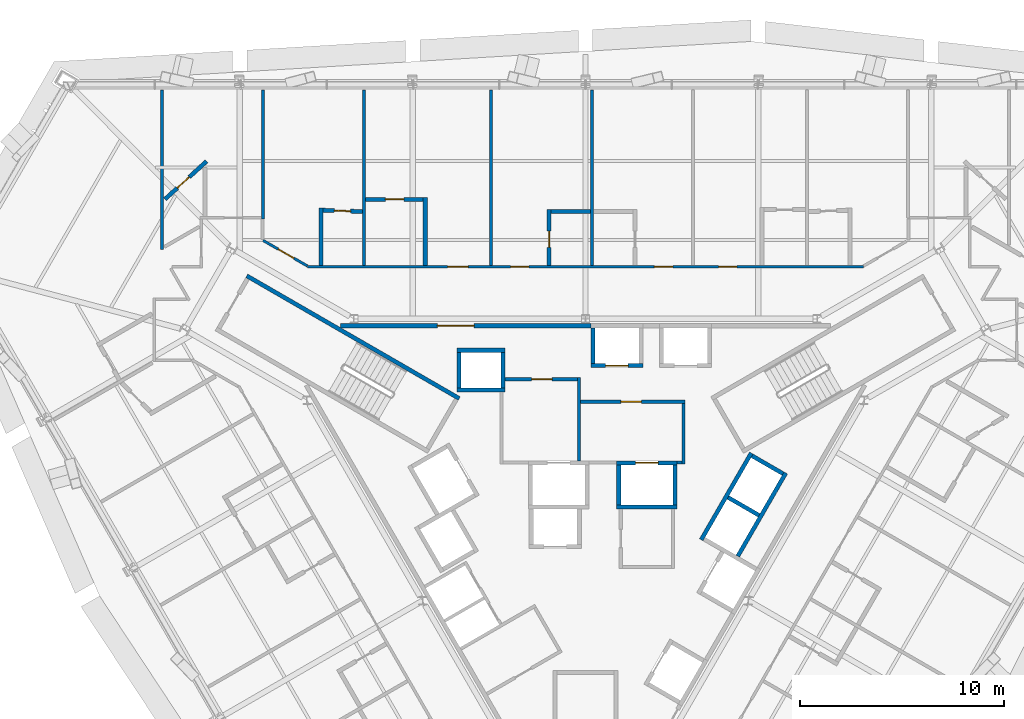
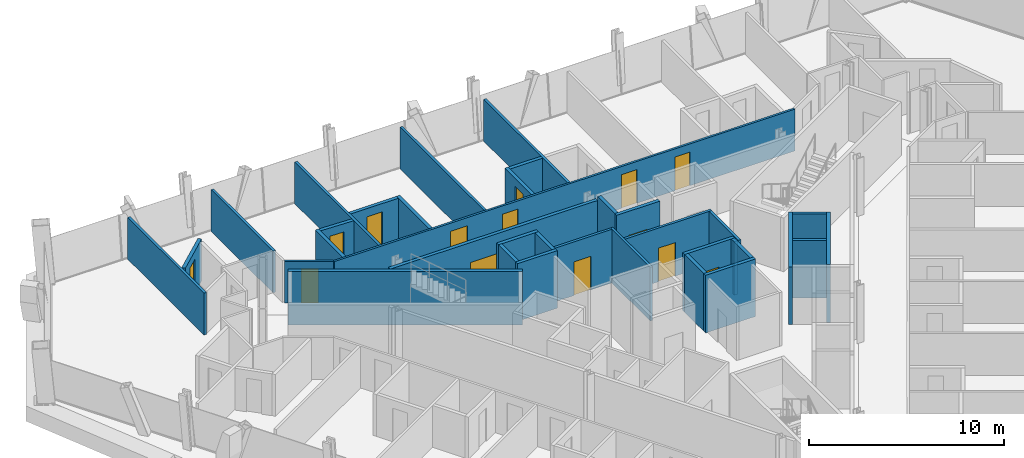
# One storey, part 11 of 15: 35 walls, 14 doors, 14 openings.
"""IFC4 building model written with IfcOpenShell, lengths in metres."""

from ifc_helpers import new_model, si_unit, direction, frame, frame_2d, origin, place, context, subcontext, project, spatial, rectangle, extrude, material, layer, layer_set, type_object, element, fill, save


model = new_model("IFC4")

# Units and contexts
model_context = context("Model", 3, precision=1e-05, world=origin(), true_north=direction((0.0, 1.0)))
body_context = subcontext(model_context, "Body", "Model", "MODEL_VIEW")
ifc_project = project(units=[si_unit("LENGTHUNIT", "METRE"), si_unit("AREAUNIT", "SQUARE_METRE"), si_unit("VOLUMEUNIT", "CUBIC_METRE"), si_unit("PLANEANGLEUNIT", "RADIAN"), si_unit("MASSUNIT", "GRAM", prefix="KILO")], contexts=[model_context])

# Site, building, storey
site_placement = place(None, origin())
site = spatial("IfcSite", under=ifc_project, at=site_placement, CompositionType="ELEMENT")
building_placement = place(site_placement, origin())
building = spatial("IfcBuilding", under=site, at=building_placement, Name="Verrane Prism Tower", CompositionType="ELEMENT")
storey_placement = place(building_placement, frame((0.0, 0.0, 44.0)))
storey = spatial("IfcBuildingStorey", under=building, at=storey_placement, Name="L08", CompositionType="ELEMENT", Elevation=44.0)

# Wall, opening, door
ifc_material_1 = material(Name="Gypsum board partition", Category="other")
ifc_layer_1 = layer(ifc_material_1, 0.199951171875)
ifc_layer_set_1 = layer_set([ifc_layer_1], Name="CW-200 core boundary wall 2 h")
wall_type_1 = type_object("IfcWallType", Name="CW-200 core boundary wall 2 h", PredefinedType="PARTITIONING", material=ifc_layer_set_1)
wall_1_placement = place(storey_placement, frame((0.262939453125, 8.860107421875, 0.0), z_axis=(0.0, 0.0, 1.0), x_axis=(-1.0, 0.0, 0.0)))
wall_1 = element("IfcWall", 1, at=wall_1_placement, inside=storey, type_object=wall_type_1, Name="Core boundary wall CW3-009", PredefinedType="PARTITIONING", context=body_context, shape_type="SweptSolid", body=[
    extrude(rectangle(XDim=12.25390625, YDim=0.199951171875, at=frame_2d((6.126953125, 0.0))), origin(), (0.0, 0.0, 1.0), 3.35009765625),
])
opening_1_placement = place(wall_1_placement, frame((5.708984375, 0.0, 0.0)))
opening_1 = element("IfcOpeningElement", 2, at=opening_1_placement, cuts=wall_1, Name="Opening D06524", PredefinedType="OPENING", context=body_context, shape_type="SweptSolid", body=[
    extrude(rectangle(XDim=1.800048828125, YDim=2.10009765625, at=frame_2d((0.89990234375, 1.050048828125))), frame((0.0, 0.10986328125, 0.0), z_axis=(0.0, -1.0, 0.0), x_axis=(1.0, 0.0, 0.0)), (0.0, 0.0, 1.0), 0.219970703125),
])
ifc_material_2 = material(Name="Timber veneered door leaf", Category="wood")
door_type_1 = type_object("IfcDoorType", Name="DR-1800x2100 FD60 double leaf lift lobby", OperationType="NOTDEFINED", PredefinedType="DOOR", material=ifc_material_2)
door_1_placement = place(opening_1_placement, origin())
door_1 = element("IfcDoor", 3, at=door_1_placement, inside=storey, type_object=door_type_1, Name="Lift lobby door D06524", OperationType="DOUBLE_DOOR_SINGLE_SWING", OverallHeight=2.10009765625, OverallWidth=1.800048828125, PredefinedType="DOOR", context=body_context, shape_type="SweptSolid", body=[
    extrude(rectangle(XDim=1.800048828125, YDim=2.10009765625, at=frame_2d((0.89990234375, 1.050048828125))), frame((0.0, 0.02490234375, 0.0), z_axis=(0.0, -1.0, 0.0), x_axis=(1.0, 0.0, 0.0)), (0.0, 0.0, 1.0), 0.050048828125),
])
fill(opening_1, door_1)

# Walls
ifc_material_3 = material(Name="Concrete C40/50", Category="concrete")
ifc_layer_2 = layer(ifc_material_3, 0.199951171875)
ifc_layer_set_2 = layer_set([ifc_layer_2], Name="CW-200 stair core wall concrete C40/50 3 h")
wall_type_2 = type_object("IfcWallType", Name="CW-200 stair core wall concrete C40/50 3 h", PredefinedType="PARTITIONING", material=ifc_layer_set_2)
wall_2_placement = place(storey_placement, frame((-6.17822265625, 5.299072265625, 0.0), z_axis=(0.0, 0.0, 1.0), x_axis=(-0.866026010844, 0.49999894854, 0.0)))
element("IfcWall", 4, at=wall_2_placement, inside=storey, type_object=wall_type_2, Name="Stair 2 enclosure wall", PredefinedType="PARTITIONING", context=body_context, shape_type="SweptSolid", body=[
    extrude(rectangle(XDim=12.0, YDim=0.199951171875, at=frame_2d((6.0, 0.0))), origin(), (0.0, 0.0, 1.0), 3.35009765625),
])
ifc_material_4 = material(Name="Gypsum board shaft wall assembly", Category="other")
ifc_layer_3 = layer(ifc_material_4, 0.199951171875)
ifc_layer_set_3 = layer_set([ifc_layer_3], Name="HW-200 lift shaft wall 2 h")
wall_type_3 = type_object("IfcWallType", Name="HW-200 lift shaft wall 2 h", PredefinedType="PARTITIONING", material=ifc_layer_set_3)
wall_3_placement = place(storey_placement, frame((1.52490234375, 0.0, 0.0), z_axis=(0.0, 0.0, 1.0), x_axis=(1.0, 0.0, 0.0)))
element("IfcWall", 5, at=wall_3_placement, inside=storey, type_object=wall_type_3, Name="Lift shaft wall", PredefinedType="PARTITIONING", context=body_context, shape_type="SweptSolid", body=[
    extrude(rectangle(XDim=2.9501953125, YDim=0.199951171875, at=frame_2d((1.47509765625, 0.0))), origin(), (0.0, 0.0, 1.0), 3.60009765625),
])

# Wall, opening, door
wall_4_placement = place(storey_placement, frame((1.52490234375, 2.14990234375, 0.0), z_axis=(0.0, 0.0, 1.0), x_axis=(1.0, 0.0, 0.0)))
wall_4 = element("IfcWall", 6, at=wall_4_placement, inside=storey, type_object=wall_type_3, Name="Lift shaft wall", PredefinedType="PARTITIONING", context=body_context, shape_type="SweptSolid", body=[
    extrude(rectangle(XDim=2.9501953125, YDim=0.199951171875, at=frame_2d((1.47509765625, 0.0))), origin(), (0.0, 0.0, 1.0), 3.60009765625),
])
opening_2_placement = place(wall_4_placement, frame((0.925048828125, 0.0, 0.0)))
opening_2 = element("IfcOpeningElement", 7, at=opening_2_placement, cuts=wall_4, Name="Opening D06513", PredefinedType="OPENING", context=body_context, shape_type="SweptSolid", body=[
    extrude(rectangle(XDim=1.10009765625, YDim=2.10009765625, at=frame_2d((0.550048828125, 1.050048828125))), frame((0.0, 0.10986328125, 0.0), z_axis=(0.0, -1.0, 0.0), x_axis=(1.0, 0.0, 0.0)), (0.0, 0.0, 1.0), 0.219970703125),
])
ifc_material_5 = material(Name="Stainless steel sliding landing door", Category="steel")
door_type_2 = type_object("IfcDoorType", Name="LD-1100x2100 lift landing door FD90 sliding", OperationType="NOTDEFINED", PredefinedType="DOOR", material=ifc_material_5)
door_2_placement = place(opening_2_placement, origin())
door_2 = element("IfcDoor", 8, at=door_2_placement, inside=storey, type_object=door_type_2, Name="Fire service lift 2 landing door", OperationType="SLIDING_TO_RIGHT", OverallHeight=2.10009765625, OverallWidth=1.10009765625, PredefinedType="DOOR", context=body_context, shape_type="SweptSolid", body=[
    extrude(rectangle(XDim=1.10009765625, YDim=2.10009765625, at=frame_2d((0.550048828125, 1.050048828125))), frame((0.0, 0.02490234375, 0.0), z_axis=(0.0, -1.0, 0.0), x_axis=(1.0, 0.0, 0.0)), (0.0, 0.0, 1.0), 0.050048828125),
])
fill(opening_2, door_2)

# Wall
wall_5_placement = place(storey_placement, frame((-6.284912109375, 5.7099609375, 0.0), z_axis=(0.0, 0.0, 1.0), x_axis=(1.0, 0.0, 0.0)))
element("IfcWall", 9, at=wall_5_placement, inside=storey, type_object=wall_type_3, Name="Lift shaft wall", PredefinedType="PARTITIONING", context=body_context, shape_type="SweptSolid", body=[
    extrude(rectangle(XDim=2.349853515625, YDim=0.199951171875, at=frame_2d((1.1748046875, 0.0))), origin(), (0.0, 0.0, 1.0), 3.60009765625),
])

# Wall, opening, door
wall_6_placement = place(storey_placement, frame((0.264892578125, 6.909912109375, 0.0), z_axis=(0.0, 0.0, 1.0), x_axis=(1.0, 0.0, 0.0)))
wall_6 = element("IfcWall", 10, at=wall_6_placement, inside=storey, type_object=wall_type_3, Name="Lift shaft wall", PredefinedType="PARTITIONING", context=body_context, shape_type="SweptSolid", body=[
    extrude(rectangle(XDim=2.550048828125, YDim=0.199951171875, at=frame_2d((1.27490234375, 0.0))), origin(), (0.0, 0.0, 1.0), 3.60009765625),
])
opening_3_placement = place(wall_6_placement, frame((0.72509765625, 0.0, 0.0)))
opening_3 = element("IfcOpeningElement", 11, at=opening_3_placement, cuts=wall_6, Name="Opening D06507", PredefinedType="OPENING", context=body_context, shape_type="SweptSolid", body=[
    extrude(rectangle(XDim=1.10009765625, YDim=2.10009765625, at=frame_2d((0.550048828125, 1.050048828125))), frame((0.0, 0.10986328125, 0.0), z_axis=(0.0, -1.0, 0.0), x_axis=(1.0, 0.0, 0.0)), (0.0, 0.0, 1.0), 0.219970703125),
])
door_3_placement = place(opening_3_placement, origin())
door_3 = element("IfcDoor", 12, at=door_3_placement, inside=storey, type_object=door_type_2, Name="Bank A lift 1 landing door", OperationType="SLIDING_TO_LEFT", OverallHeight=2.10009765625, OverallWidth=1.10009765625, PredefinedType="DOOR", context=body_context, shape_type="SweptSolid", body=[
    extrude(rectangle(XDim=1.10009765625, YDim=2.10009765625, at=frame_2d((0.550048828125, 1.050048828125))), frame((0.0, 0.02490234375, 0.0), z_axis=(0.0, -1.0, 0.0), x_axis=(1.0, 0.0, 0.0)), (0.0, 0.0, 1.0), 0.050048828125),
])
fill(opening_3, door_3)

# Walls
wall_7_placement = place(storey_placement, frame((-6.284912109375, 7.659912109375, 0.0), z_axis=(0.0, 0.0, 1.0), x_axis=(1.0, 0.0, 0.0)))
element("IfcWall", 13, at=wall_7_placement, inside=storey, type_object=wall_type_3, Name="Lift shaft wall", PredefinedType="PARTITIONING", context=body_context, shape_type="SweptSolid", body=[
    extrude(rectangle(XDim=2.349853515625, YDim=0.199951171875, at=frame_2d((1.1748046875, 0.0))), origin(), (0.0, 0.0, 1.0), 3.60009765625),
])
wall_8_placement = place(storey_placement, frame((7.451171875, -2.4140625, 0.0), z_axis=(0.0, 0.0, 1.0), x_axis=(0.500016218704, 0.866016039709, 0.0)))
element("IfcWall", 14, at=wall_8_placement, inside=storey, type_object=wall_type_3, Name="Lift shaft wall", PredefinedType="PARTITIONING", context=body_context, shape_type="SweptSolid", body=[
    extrude(rectangle(XDim=4.699951171875, YDim=0.199951171875, at=frame_2d((2.35009765625, 0.0))), origin(), (0.0, 0.0, 1.0), 3.60009765625),
])
wall_9_placement = place(storey_placement, frame((5.66259765625, -1.6123046875, 0.0), z_axis=(0.0, 0.0, 1.0), x_axis=(0.49998122708, 0.866036242063, 0.0)))
element("IfcWall", 15, at=wall_9_placement, inside=storey, type_object=wall_type_3, Name="Lift shaft wall", PredefinedType="PARTITIONING", context=body_context, shape_type="SweptSolid", body=[
    extrude(rectangle(XDim=4.900146484375, YDim=0.199951171875, at=frame_2d((2.4501953125, 0.0))), origin(), (0.0, 0.0, 1.0), 3.60009765625),
])
for number, where, z_axis, x_axis, name in (
    (16, (4.375, 0.10009765625, 0.0), (0.0, 0.0, 1.0), (0.0, 1.0, 0.0), "Lift shaft wall"),
    (17, (1.625, 0.10009765625, 0.0), (0.0, 0.0, 1.0), (0.0, 1.0, 0.0), "Lift shaft wall"),
):
    element("IfcWall", number, at=place(storey_placement, frame(where, z_axis=z_axis, x_axis=x_axis)), inside=storey, type_object=wall_type_3, Name=name, PredefinedType="PARTITIONING", context=body_context, shape_type="SweptSolid", body=[
        extrude(rectangle(XDim=1.949951171875, YDim=0.199951171875, at=frame_2d((0.97509765625, 0.0))), origin(), (0.0, 0.0, 1.0), 3.60009765625),
    ])
for number, where, z_axis, x_axis, name in (
    (18, (0.364990234375, 7.010009765625, 0.0), (0.0, 0.0, 1.0), (0.0, 1.0, 0.0), "Lift shaft wall"),
    (19, (-4.034912109375, 5.81005859375, 0.0), (0.0, 0.0, 1.0), (0.0, 1.0, 0.0), "Lift shaft wall"),
    (20, (-6.18505859375, 5.81005859375, 0.0), (0.0, 0.0, 1.0), (0.0, 1.0, 0.0), "Lift shaft wall"),
):
    element("IfcWall", number, at=place(storey_placement, frame(where, z_axis=z_axis, x_axis=x_axis)), inside=storey, type_object=wall_type_3, Name=name, PredefinedType="PARTITIONING", context=body_context, shape_type="SweptSolid", body=[
        extrude(rectangle(XDim=1.75, YDim=0.199951171875, at=frame_2d((0.875, 0.0))), origin(), (0.0, 0.0, 1.0), 3.60009765625),
    ])
wall_10_placement = place(storey_placement, frame((9.66455078125, 1.61962890625, 0.0), z_axis=(0.0, 0.0, 1.0), x_axis=(-0.866002029911, 0.500040482552, 0.0)))
element("IfcWall", 21, at=wall_10_placement, inside=storey, type_object=wall_type_3, Name="Lift shaft wall", PredefinedType="PARTITIONING", context=body_context, shape_type="SweptSolid", body=[
    extrude(rectangle(XDim=1.749755859375, YDim=0.199951171875, at=frame_2d((0.875, 0.0))), origin(), (0.0, 0.0, 1.0), 3.60009765625),
])
wall_11_placement = place(storey_placement, frame((8.48974609375, -0.41552734375, 0.0), z_axis=(0.0, 0.0, 1.0), x_axis=(-0.866036909293, 0.499980071345, 0.0)))
element("IfcWall", 22, at=wall_11_placement, inside=storey, type_object=wall_type_3, Name="Lift shaft wall", PredefinedType="PARTITIONING", context=body_context, shape_type="SweptSolid", body=[
    extrude(rectangle(XDim=1.75, YDim=0.199951171875, at=frame_2d((0.875, 0.0))), origin(), (0.0, 0.0, 1.0), 3.60009765625),
])

# Wall, opening, door
ifc_material_6 = material(Name="Gypsum board partition", Category="other")
ifc_layer_4 = layer(ifc_material_6, 0.14990234375)
ifc_layer_set_4 = layer_set([ifc_layer_4], Name="LF-150 firefighting lobby wall 1 h")
wall_type_4 = type_object("IfcWallType", Name="LF-150 firefighting lobby wall 1 h", PredefinedType="PARTITIONING", material=ifc_layer_set_4)
wall_12_placement = place(storey_placement, frame((-3.93310546875, 6.239990234375, 0.0), z_axis=(0.0, 0.0, 1.0), x_axis=(1.0, 0.0, 0.0)))
wall_12 = element("IfcWall", 23, at=wall_12_placement, inside=storey, type_object=wall_type_4, Name="Firefighting lobby wall LF1-011", PredefinedType="PARTITIONING", context=body_context, shape_type="SweptSolid", body=[
    extrude(rectangle(XDim=3.5380859375, YDim=0.14990234375, at=frame_2d((1.76904296875, 0.0))), origin(), (0.0, 0.0, 1.0), 3.35009765625),
])
opening_4_placement = place(wall_12_placement, frame((1.300048828125, 0.0, 0.0)))
opening_4 = element("IfcOpeningElement", 24, at=opening_4_placement, cuts=wall_12, Name="Opening D06528", PredefinedType="OPENING", context=body_context, shape_type="SweptSolid", body=[
    extrude(rectangle(XDim=1.0, YDim=2.10009765625, at=frame_2d((0.5, 1.050048828125))), frame((0.0, 0.0849609375, 0.0), z_axis=(0.0, -1.0, 0.0), x_axis=(1.0, 0.0, 0.0)), (0.0, 0.0, 1.0), 0.169921875),
])
ifc_material_7 = material(Name="Timber veneered door leaf", Category="wood")
door_type_3 = type_object("IfcDoorType", Name="DR-1000x2100 FD60 single leaf firefighting lobby", OperationType="NOTDEFINED", PredefinedType="DOOR", material=ifc_material_7)
door_4_placement = place(opening_4_placement, origin())
door_4 = element("IfcDoor", 25, at=door_4_placement, inside=storey, type_object=door_type_3, Name="Firefighting lobby door D06528", OperationType="SINGLE_SWING_LEFT", OverallHeight=2.10009765625, OverallWidth=1.0, PredefinedType="DOOR", context=body_context, shape_type="SweptSolid", body=[
    extrude(rectangle(XDim=1.0, YDim=2.10009765625, at=frame_2d((0.5, 1.050048828125))), frame((0.0, 0.02490234375, 0.0), z_axis=(0.0, -1.0, 0.0), x_axis=(1.0, 0.0, 0.0)), (0.0, 0.0, 1.0), 0.050048828125),
])
fill(opening_4, door_4)

# Wall
wall_13_placement = place(storey_placement, frame((-0.320068359375, 2.251953125, 0.0), z_axis=(0.0, 0.0, 1.0), x_axis=(0.0, 1.0, 0.0)))
element("IfcWall", 26, at=wall_13_placement, inside=storey, type_object=wall_type_4, Name="Firefighting lobby wall LF1-012", PredefinedType="PARTITIONING", context=body_context, shape_type="SweptSolid", body=[
    extrude(rectangle(XDim=4.06298828125, YDim=0.14990234375, at=frame_2d((2.031494140625, 0.0))), origin(), (0.0, 0.0, 1.0), 3.35009765625),
])

# Wall, opening, door
wall_14_placement = place(storey_placement, frame((-0.2451171875, 5.139892578125, 0.0), z_axis=(0.0, 0.0, 1.0), x_axis=(1.0, 0.0, 0.0)))
wall_14 = element("IfcWall", 27, at=wall_14_placement, inside=storey, type_object=wall_type_4, Name="Firefighting lobby wall LF1-013", PredefinedType="PARTITIONING", context=body_context, shape_type="SweptSolid", body=[
    extrude(rectangle(XDim=5.110107421875, YDim=0.14990234375, at=frame_2d((2.55517578125, 0.0))), origin(), (0.0, 0.0, 1.0), 3.35009765625),
])
opening_5_placement = place(wall_14_placement, frame((1.97509765625, 0.0, 0.0)))
opening_5 = element("IfcOpeningElement", 28, at=opening_5_placement, cuts=wall_14, Name="Opening D06529", PredefinedType="OPENING", context=body_context, shape_type="SweptSolid", body=[
    extrude(rectangle(XDim=1.0, YDim=2.10009765625, at=frame_2d((0.5, 1.050048828125))), frame((0.0, 0.0849609375, 0.0), z_axis=(0.0, -1.0, 0.0), x_axis=(1.0, 0.0, 0.0)), (0.0, 0.0, 1.0), 0.169921875),
])
door_5_placement = place(opening_5_placement, origin())
door_5 = element("IfcDoor", 29, at=door_5_placement, inside=storey, type_object=door_type_3, Name="Firefighting lobby door D06529", OperationType="SINGLE_SWING_RIGHT", OverallHeight=2.10009765625, OverallWidth=1.0, PredefinedType="DOOR", context=body_context, shape_type="SweptSolid", body=[
    extrude(rectangle(XDim=1.0, YDim=2.10009765625, at=frame_2d((0.5, 1.050048828125))), frame((0.0, 0.02490234375, 0.0), z_axis=(0.0, -1.0, 0.0), x_axis=(1.0, 0.0, 0.0)), (0.0, 0.0, 1.0), 0.050048828125),
])
fill(opening_5, door_5)

# Walls
wall_15_placement = place(storey_placement, frame((4.47705078125, 2.159912109375, 0.0), z_axis=(0.0, 0.0, 1.0), x_axis=(1.0, 0.0, 0.0)))
element("IfcWall", 30, at=wall_15_placement, inside=storey, type_object=wall_type_4, Name="Firefighting lobby wall LF1-015", PredefinedType="PARTITIONING", context=body_context, shape_type="SweptSolid", body=[
    extrude(rectangle(XDim=0.238037109375, YDim=0.14990234375, at=frame_2d((0.119140625, 0.0))), origin(), (0.0, 0.0, 1.0), 3.35009765625),
])
wall_16_placement = place(storey_placement, frame((4.7900390625, 2.0849609375, 0.0), z_axis=(0.0, 0.0, 1.0), x_axis=(0.0, 1.0, 0.0)))
element("IfcWall", 31, at=wall_16_placement, inside=storey, type_object=wall_type_4, Name="Firefighting lobby wall LF1-016", PredefinedType="PARTITIONING", context=body_context, shape_type="SweptSolid", body=[
    extrude(rectangle(XDim=2.97998046875, YDim=0.14990234375, at=frame_2d((1.489990234375, 0.0))), origin(), (0.0, 0.0, 1.0), 3.35009765625),
])

# Wall, opening, door
ifc_material_8 = material(Name="Gypsum board partition", Category="other")
ifc_layer_5 = layer(ifc_material_8, 0.125)
ifc_layer_set_5 = layer_set([ifc_layer_5], Name="PW-125 corridor wall 1 h")
wall_type_5 = type_object("IfcWallType", Name="PW-125 corridor wall 1 h", PredefinedType="PARTITIONING", material=ifc_layer_set_5)
wall_17_placement = place(storey_placement, frame((-15.778076171875, 13.034912109375, 0.0), z_axis=(0.0, 0.0, 1.0), x_axis=(0.866110899347, -0.499851888094, 0.0)))
wall_17 = element("IfcWall", 32, at=wall_17_placement, inside=storey, type_object=wall_type_5, Name="Corridor wall 027", PredefinedType="PARTITIONING", context=body_context, shape_type="SweptSolid", body=[
    extrude(rectangle(XDim=2.503662109375, YDim=0.125, at=frame_2d((1.251953125, 0.0))), origin(), (0.0, 0.0, 1.0), 2.613037109375),
])
opening_6_placement = place(wall_17_placement, frame((0.85009765625, 0.0, 0.0)))
opening_6 = element("IfcOpeningElement", 33, at=opening_6_placement, cuts=wall_17, Name="Opening D06013", PredefinedType="OPENING", context=body_context, shape_type="SweptSolid", body=[
    extrude(rectangle(XDim=0.89990234375, YDim=2.10009765625, at=frame_2d((0.449951171875, 1.050048828125))), frame((0.0, 0.072509765625, 0.0), z_axis=(0.0, -1.0, 0.0), x_axis=(1.0, 0.0, 0.0)), (0.0, 0.0, 1.0), 0.14501953125),
])
ifc_material_9 = material(Name="Timber veneered door leaf", Category="wood")
door_type_4 = type_object("IfcDoorType", Name="DR-900x2100 FD20 single leaf unit", OperationType="NOTDEFINED", PredefinedType="DOOR", material=ifc_material_9)
door_6_placement = place(opening_6_placement, origin())
door_6 = element("IfcDoor", 34, at=door_6_placement, inside=storey, type_object=door_type_4, Name="Guest Room door", OperationType="SINGLE_SWING_LEFT", OverallHeight=2.10009765625, OverallWidth=0.89990234375, PredefinedType="DOOR", context=body_context, shape_type="SweptSolid", body=[
    extrude(rectangle(XDim=0.89990234375, YDim=2.10009765625, at=frame_2d((0.449951171875, 1.050048828125))), frame((0.0, 0.02490234375, 0.0), z_axis=(0.0, -1.0, 0.0), x_axis=(1.0, 0.0, 0.0)), (0.0, 0.0, 1.0), 0.050048828125),
])
fill(opening_6, door_6)

# Wall, openings, doors
wall_18_placement = place(storey_placement, frame((-13.598388671875, 11.740966796875, 0.0), z_axis=(0.0, 0.0, 1.0), x_axis=(1.0, 0.0, 0.0)))
wall_18 = element("IfcWall", 35, at=wall_18_placement, inside=storey, type_object=wall_type_5, Name="Corridor wall 030", PredefinedType="PARTITIONING", context=body_context, shape_type="SweptSolid", body=[
    extrude(rectangle(XDim=27.19677734375, YDim=0.125, at=frame_2d((13.598388671875, 0.0))), origin(), (0.0, 0.0, 1.0), 2.613037109375),
])
opening_7_placement = place(wall_18_placement, frame((20.107421875, 0.0, 0.0)))
opening_7 = element("IfcOpeningElement", 36, at=opening_7_placement, cuts=wall_18, Name="Opening D06005", PredefinedType="OPENING", context=body_context, shape_type="SweptSolid", body=[
    extrude(rectangle(XDim=0.89990234375, YDim=2.10009765625, at=frame_2d((0.449951171875, 1.050048828125))), frame((0.0, 0.072509765625, 0.0), z_axis=(0.0, -1.0, 0.0), x_axis=(1.0, 0.0, 0.0)), (0.0, 0.0, 1.0), 0.14501953125),
])
opening_8_placement = place(wall_18_placement, frame((16.970458984375, 0.0, 0.0)))
opening_8 = element("IfcOpeningElement", 37, at=opening_8_placement, cuts=wall_18, Name="Opening D06007", PredefinedType="OPENING", context=body_context, shape_type="SweptSolid", body=[
    extrude(rectangle(XDim=0.89990234375, YDim=2.10009765625, at=frame_2d((0.449951171875, 1.050048828125))), frame((0.0, 0.072509765625, 0.0), z_axis=(0.0, -1.0, 0.0), x_axis=(1.0, 0.0, 0.0)), (0.0, 0.0, 1.0), 0.14501953125),
])
opening_9_placement = place(wall_18_placement, frame((9.93359375, 0.0, 0.0)))
opening_9 = element("IfcOpeningElement", 38, at=opening_9_placement, cuts=wall_18, Name="Opening D06009", PredefinedType="OPENING", context=body_context, shape_type="SweptSolid", body=[
    extrude(rectangle(XDim=0.89990234375, YDim=2.10009765625, at=frame_2d((0.449951171875, 1.050048828125))), frame((0.0, 0.072509765625, 0.0), z_axis=(0.0, -1.0, 0.0), x_axis=(1.0, 0.0, 0.0)), (0.0, 0.0, 1.0), 0.14501953125),
])
opening_10_placement = place(wall_18_placement, frame((6.8583984375, 0.0, 0.0)))
opening_10 = element("IfcOpeningElement", 39, at=opening_10_placement, cuts=wall_18, Name="Opening D06011", PredefinedType="OPENING", context=body_context, shape_type="SweptSolid", body=[
    extrude(rectangle(XDim=1.0, YDim=2.10009765625, at=frame_2d((0.5, 1.050048828125))), frame((0.0, 0.072509765625, 0.0), z_axis=(0.0, -1.0, 0.0), x_axis=(1.0, 0.0, 0.0)), (0.0, 0.0, 1.0), 0.14501953125),
])
ifc_material_10 = material(Name="Timber veneered door leaf", Category="wood")
door_type_5 = type_object("IfcDoorType", Name="DR-1000x2100 FD20 single leaf unit", OperationType="NOTDEFINED", PredefinedType="DOOR", material=ifc_material_10)
door_7_placement = place(opening_10_placement, origin())
door_7 = element("IfcDoor", 40, at=door_7_placement, inside=storey, type_object=door_type_5, Name="Accessible Guest Room door", OperationType="SINGLE_SWING_LEFT", OverallHeight=2.10009765625, OverallWidth=1.0, PredefinedType="DOOR", context=body_context, shape_type="SweptSolid", body=[
    extrude(rectangle(XDim=1.0, YDim=2.10009765625, at=frame_2d((0.5, 1.050048828125))), frame((0.0, 0.02490234375, 0.0), z_axis=(0.0, -1.0, 0.0), x_axis=(1.0, 0.0, 0.0)), (0.0, 0.0, 1.0), 0.050048828125),
])
fill(opening_10, door_7)
door_8_placement = place(opening_7_placement, origin())
door_8 = element("IfcDoor", 41, at=door_8_placement, inside=storey, type_object=door_type_4, Name="Guest Room door", OperationType="SINGLE_SWING_LEFT", OverallHeight=2.10009765625, OverallWidth=0.89990234375, PredefinedType="DOOR", context=body_context, shape_type="SweptSolid", body=[
    extrude(rectangle(XDim=0.89990234375, YDim=2.10009765625, at=frame_2d((0.449951171875, 1.050048828125))), frame((0.0, 0.02490234375, 0.0), z_axis=(0.0, -1.0, 0.0), x_axis=(1.0, 0.0, 0.0)), (0.0, 0.0, 1.0), 0.050048828125),
])
fill(opening_7, door_8)
door_9_placement = place(opening_8_placement, origin())
door_9 = element("IfcDoor", 42, at=door_9_placement, inside=storey, type_object=door_type_4, Name="Guest Room door", OperationType="SINGLE_SWING_LEFT", OverallHeight=2.10009765625, OverallWidth=0.89990234375, PredefinedType="DOOR", context=body_context, shape_type="SweptSolid", body=[
    extrude(rectangle(XDim=0.89990234375, YDim=2.10009765625, at=frame_2d((0.449951171875, 1.050048828125))), frame((0.0, 0.02490234375, 0.0), z_axis=(0.0, -1.0, 0.0), x_axis=(1.0, 0.0, 0.0)), (0.0, 0.0, 1.0), 0.050048828125),
])
fill(opening_8, door_9)
door_10_placement = place(opening_9_placement, origin())
door_10 = element("IfcDoor", 43, at=door_10_placement, inside=storey, type_object=door_type_4, Name="Guest Room door", OperationType="SINGLE_SWING_LEFT", OverallHeight=2.10009765625, OverallWidth=0.89990234375, PredefinedType="DOOR", context=body_context, shape_type="SweptSolid", body=[
    extrude(rectangle(XDim=0.89990234375, YDim=2.10009765625, at=frame_2d((0.449951171875, 1.050048828125))), frame((0.0, 0.02490234375, 0.0), z_axis=(0.0, -1.0, 0.0), x_axis=(1.0, 0.0, 0.0)), (0.0, 0.0, 1.0), 0.050048828125),
])
fill(opening_9, door_10)

# Walls
ifc_material_11 = material(Name="Gypsum board partition", Category="other")
ifc_layer_6 = layer(ifc_material_11, 0.14990234375)
ifc_layer_set_6 = layer_set([ifc_layer_6], Name="PW-150 demising wall 1 h")
wall_type_6 = type_object("IfcWallType", Name="PW-150 demising wall 1 h", PredefinedType="PARTITIONING", material=ifc_layer_set_6)
wall_19_placement = place(storey_placement, frame((-20.715087890625, 12.576904296875, 0.0), z_axis=(0.0, 0.0, 1.0), x_axis=(0.0, 1.0, 0.0)))
element("IfcWall", 44, at=wall_19_placement, inside=storey, type_object=wall_type_6, Name="Demising wall 011", PredefinedType="PARTITIONING", context=body_context, shape_type="SweptSolid", body=[
    extrude(rectangle(XDim=7.818115234375, YDim=0.14990234375, at=frame_2d((3.9091796875, 0.0))), origin(), (0.0, 0.0, 1.0), 2.613037109375),
])
wall_20_placement = place(storey_placement, frame((-15.778076171875, 14.072509765625, 0.0), z_axis=(0.0, 0.0, 1.0), x_axis=(0.0, 1.0, 0.0)))
element("IfcWall", 45, at=wall_20_placement, inside=storey, type_object=wall_type_6, Name="Demising wall 026", PredefinedType="PARTITIONING", context=body_context, shape_type="SweptSolid", body=[
    extrude(rectangle(XDim=6.322509765625, YDim=0.14990234375, at=frame_2d((3.1611328125, 0.0))), origin(), (0.0, 0.0, 1.0), 2.613037109375),
])
for number, where, z_axis, x_axis, name in (
    (46, (-10.840087890625, 11.803466796875, 0.0), (0.0, 0.0, 1.0), (0.0, 1.0, 0.0), "Demising wall 038"),
    (47, (-4.614990234375, 11.803466796875, 0.0), (0.0, 0.0, 1.0), (0.0, 1.0, 0.0), "Demising wall 047"),
    (48, (0.322021484375, 11.803466796875, 0.0), (0.0, 0.0, 1.0), (0.0, 1.0, 0.0), "Demising wall 054"),
):
    element("IfcWall", number, at=place(storey_placement, frame(where, z_axis=z_axis, x_axis=x_axis)), inside=storey, type_object=wall_type_6, Name=name, PredefinedType="PARTITIONING", context=body_context, shape_type="SweptSolid", body=[
        extrude(rectangle(XDim=8.591552734375, YDim=0.14990234375, at=frame_2d((4.2958984375, 0.0))), origin(), (0.0, 0.0, 1.0), 2.613037109375),
    ])

# Wall, opening, door
ifc_material_12 = material(Name="Gypsum board partition", Category="other")
ifc_layer_7 = layer(ifc_material_12, 0.199951171875)
ifc_layer_set_7 = layer_set([ifc_layer_7], Name="PW-200 plumbing wall")
wall_type_7 = type_object("IfcWallType", Name="PW-200 plumbing wall", PredefinedType="PARTITIONING", material=ifc_layer_set_7)
wall_21_placement = place(storey_placement, frame((-18.541259765625, 16.904541015625, 0.0), z_axis=(0.0, 0.0, 1.0), x_axis=(-0.738508553587, -0.674244107337, 0.0)))
wall_21 = element("IfcWall", 49, at=wall_21_placement, inside=storey, type_object=wall_type_7, Name="Plumbing wall 013", PredefinedType="PARTITIONING", context=body_context, shape_type="SweptSolid", body=[
    extrude(rectangle(XDim=2.75048828125, YDim=0.199951171875, at=frame_2d((1.375244140625, 0.0))), origin(), (0.0, 0.0, 1.0), 2.613037109375),
])
opening_11_placement = place(wall_21_placement, frame((1.143310546875, 0.0, 0.0)))
opening_11 = element("IfcOpeningElement", 50, at=opening_11_placement, cuts=wall_21, Name="Opening D06016", PredefinedType="OPENING", context=body_context, shape_type="SweptSolid", body=[
    extrude(rectangle(XDim=0.800048828125, YDim=2.10009765625, at=frame_2d((0.39990234375, 1.050048828125))), frame((0.0, 0.10986328125, 0.0), z_axis=(0.0, -1.0, 0.0), x_axis=(1.0, 0.0, 0.0)), (0.0, 0.0, 1.0), 0.219970703125),
])
ifc_material_13 = material(Name="Timber veneered door leaf", Category="wood")
door_type_6 = type_object("IfcDoorType", Name="DR-800x2100 single leaf bath", OperationType="NOTDEFINED", PredefinedType="DOOR", material=ifc_material_13)
door_11_placement = place(opening_11_placement, origin())
door_11 = element("IfcDoor", 51, at=door_11_placement, inside=storey, type_object=door_type_6, Name="En-Suite door", OperationType="SINGLE_SWING_LEFT", OverallHeight=2.10009765625, OverallWidth=0.800048828125, PredefinedType="DOOR", context=body_context, shape_type="SweptSolid", body=[
    extrude(rectangle(XDim=0.800048828125, YDim=2.10009765625, at=frame_2d((0.39990234375, 1.050048828125))), frame((0.0, 0.02490234375, 0.0), z_axis=(0.0, -1.0, 0.0), x_axis=(1.0, 0.0, 0.0)), (0.0, 0.0, 1.0), 0.050048828125),
])
fill(opening_11, door_11)

# Wall
wall_22_placement = place(storey_placement, frame((-12.93994140625, 11.803466796875, 0.0), z_axis=(0.0, 0.0, 1.0), x_axis=(0.0, 1.0, 0.0)))
element("IfcWall", 52, at=wall_22_placement, inside=storey, type_object=wall_type_7, Name="Plumbing wall 032", PredefinedType="PARTITIONING", context=body_context, shape_type="SweptSolid", body=[
    extrude(rectangle(XDim=2.8115234375, YDim=0.199951171875, at=frame_2d((1.40576171875, 0.0))), origin(), (0.0, 0.0, 1.0), 2.613037109375),
])

# Wall, opening, door
wall_23_placement = place(storey_placement, frame((-10.91845703125, 14.44384765625, 0.0), z_axis=(0.0, 0.0, 1.0), x_axis=(-0.999382486529, 0.035137524367, 0.0)))
wall_23 = element("IfcWall", 53, at=wall_23_placement, inside=storey, type_object=wall_type_7, Name="Plumbing wall 033", PredefinedType="PARTITIONING", context=body_context, shape_type="SweptSolid", body=[
    extrude(rectangle(XDim=1.917724609375, YDim=0.199951171875, at=frame_2d((0.958984375, 0.0))), origin(), (0.0, 0.0, 1.0), 2.613037109375),
])
opening_12_placement = place(wall_23_placement, frame((0.57275390625, 0.0, 0.0)))
opening_12 = element("IfcOpeningElement", 54, at=opening_12_placement, cuts=wall_23, Name="Opening D06014", PredefinedType="OPENING", context=body_context, shape_type="SweptSolid", body=[
    extrude(rectangle(XDim=0.800048828125, YDim=2.10009765625, at=frame_2d((0.39990234375, 1.050048828125))), frame((0.0, 0.10986328125, 0.0), z_axis=(0.0, -1.0, 0.0), x_axis=(1.0, 0.0, 0.0)), (0.0, 0.0, 1.0), 0.219970703125),
])
door_12_placement = place(opening_12_placement, origin())
door_12 = element("IfcDoor", 55, at=door_12_placement, inside=storey, type_object=door_type_6, Name="En-Suite door", OperationType="SINGLE_SWING_LEFT", OverallHeight=2.10009765625, OverallWidth=0.800048828125, PredefinedType="DOOR", context=body_context, shape_type="SweptSolid", body=[
    extrude(rectangle(XDim=0.800048828125, YDim=2.10009765625, at=frame_2d((0.39990234375, 1.050048828125))), frame((0.0, 0.02490234375, 0.0), z_axis=(0.0, -1.0, 0.0), x_axis=(1.0, 0.0, 0.0)), (0.0, 0.0, 1.0), 0.050048828125),
])
fill(opening_12, door_12)

wall_24_placement = place(storey_placement, frame((-7.93994140625, 15.041015625, 0.0), z_axis=(0.0, 0.0, 1.0), x_axis=(-1.0, 0.0, 0.0)))
wall_24 = element("IfcWall", 56, at=wall_24_placement, inside=storey, type_object=wall_type_7, Name="Plumbing wall 039", PredefinedType="PARTITIONING", context=body_context, shape_type="SweptSolid", body=[
    extrude(rectangle(XDim=2.824951171875, YDim=0.199951171875, at=frame_2d((1.41259765625, 0.0))), origin(), (0.0, 0.0, 1.0), 2.613037109375),
])
opening_13_placement = place(wall_24_placement, frame((0.949951171875, 0.0, 0.0)))
opening_13 = element("IfcOpeningElement", 57, at=opening_13_placement, cuts=wall_24, Name="Opening D06012", PredefinedType="OPENING", context=body_context, shape_type="SweptSolid", body=[
    extrude(rectangle(XDim=0.89990234375, YDim=2.10009765625, at=frame_2d((0.449951171875, 1.050048828125))), frame((0.0, 0.10986328125, 0.0), z_axis=(0.0, -1.0, 0.0), x_axis=(1.0, 0.0, 0.0)), (0.0, 0.0, 1.0), 0.219970703125),
])
ifc_material_14 = material(Name="Timber veneered door leaf", Category="wood")
door_type_7 = type_object("IfcDoorType", Name="DR-900x2100 single leaf bath", OperationType="NOTDEFINED", PredefinedType="DOOR", material=ifc_material_14)
door_13_placement = place(opening_13_placement, origin())
door_13 = element("IfcDoor", 58, at=door_13_placement, inside=storey, type_object=door_type_7, Name="En-Suite door", OperationType="SINGLE_SWING_LEFT", OverallHeight=2.10009765625, OverallWidth=0.89990234375, PredefinedType="DOOR", context=body_context, shape_type="SweptSolid", body=[
    extrude(rectangle(XDim=0.89990234375, YDim=2.10009765625, at=frame_2d((0.449951171875, 1.050048828125))), frame((0.0, 0.02490234375, 0.0), z_axis=(0.0, -1.0, 0.0), x_axis=(1.0, 0.0, 0.0)), (0.0, 0.0, 1.0), 0.050048828125),
])
fill(opening_13, door_13)

# Wall
wall_25_placement = place(storey_placement, frame((-7.840087890625, 11.803466796875, 0.0), z_axis=(0.0, 0.0, 1.0), x_axis=(0.0, 1.0, 0.0)))
element("IfcWall", 59, at=wall_25_placement, inside=storey, type_object=wall_type_7, Name="Plumbing wall 042", PredefinedType="PARTITIONING", context=body_context, shape_type="SweptSolid", body=[
    extrude(rectangle(XDim=3.337646484375, YDim=0.199951171875, at=frame_2d((1.6689453125, 0.0))), origin(), (0.0, 0.0, 1.0), 2.613037109375),
])

# Wall, opening, door
wall_26_placement = place(storey_placement, frame((-1.778076171875, 14.541015625, 0.0), z_axis=(0.0, 0.0, 1.0), x_axis=(0.0, -1.0, 0.0)))
wall_26 = element("IfcWall", 60, at=wall_26_placement, inside=storey, type_object=wall_type_7, Name="Plumbing wall 050", PredefinedType="PARTITIONING", context=body_context, shape_type="SweptSolid", body=[
    extrude(rectangle(XDim=2.737548828125, YDim=0.199951171875, at=frame_2d((1.36865234375, 0.0))), origin(), (0.0, 0.0, 1.0), 2.613037109375),
])
opening_14_placement = place(wall_26_placement, frame((1.050048828125, 0.0, 0.0)))
opening_14 = element("IfcOpeningElement", 61, at=opening_14_placement, cuts=wall_26, Name="Opening D06010", PredefinedType="OPENING", context=body_context, shape_type="SweptSolid", body=[
    extrude(rectangle(XDim=0.800048828125, YDim=2.10009765625, at=frame_2d((0.39990234375, 1.050048828125))), frame((0.0, 0.10986328125, 0.0), z_axis=(0.0, -1.0, 0.0), x_axis=(1.0, 0.0, 0.0)), (0.0, 0.0, 1.0), 0.219970703125),
])
door_14_placement = place(opening_14_placement, origin())
door_14 = element("IfcDoor", 62, at=door_14_placement, inside=storey, type_object=door_type_6, Name="En-Suite door", OperationType="SINGLE_SWING_LEFT", OverallHeight=2.10009765625, OverallWidth=0.800048828125, PredefinedType="DOOR", context=body_context, shape_type="SweptSolid", body=[
    extrude(rectangle(XDim=0.800048828125, YDim=2.10009765625, at=frame_2d((0.39990234375, 1.050048828125))), frame((0.0, 0.02490234375, 0.0), z_axis=(0.0, -1.0, 0.0), x_axis=(1.0, 0.0, 0.0)), (0.0, 0.0, 1.0), 0.050048828125),
])
fill(opening_14, door_14)

# Wall
wall_27_placement = place(storey_placement, frame((-1.677978515625, 14.44091796875, 0.0), z_axis=(0.0, 0.0, 1.0), x_axis=(1.0, 0.0, 0.0)))
element("IfcWall", 63, at=wall_27_placement, inside=storey, type_object=wall_type_7, Name="Plumbing wall 051", PredefinedType="PARTITIONING", context=body_context, shape_type="SweptSolid", body=[
    extrude(rectangle(XDim=1.919921875, YDim=0.199951171875, at=frame_2d((0.9599609375, 0.0))), origin(), (0.0, 0.0, 1.0), 2.613037109375),
])

save(model, "model.ifc")
